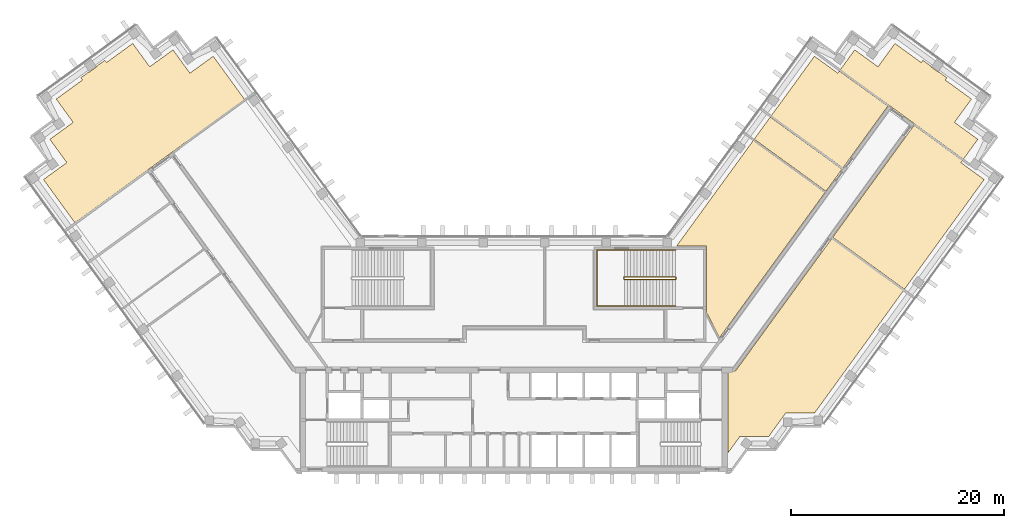
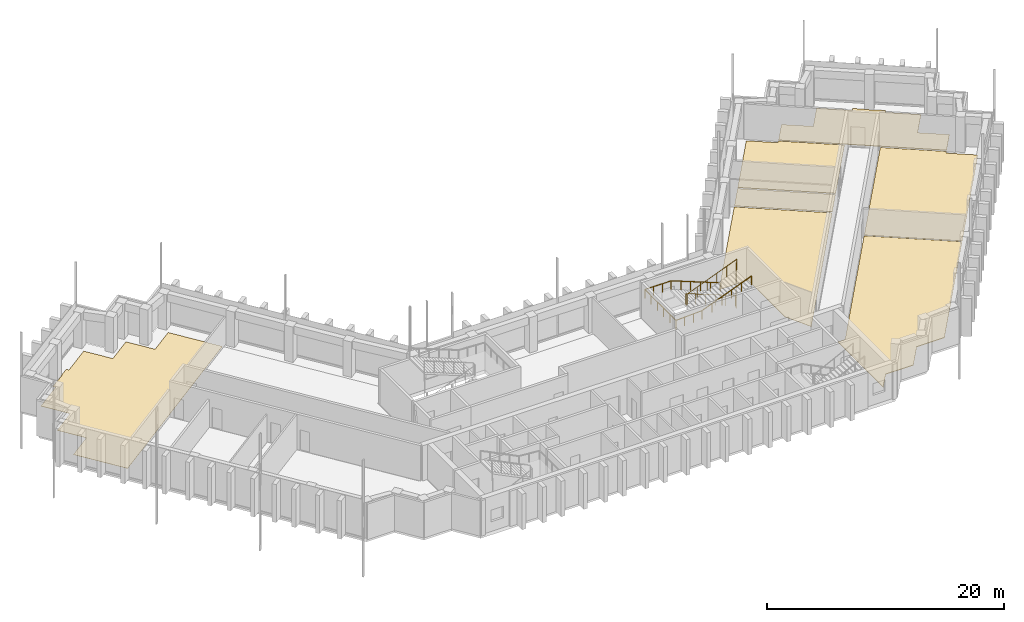
# One storey, part 13 of 13: 7 coverings, 2 railings.
"""IFC4 building model written with IfcOpenShell, lengths in metres."""

from ifc_helpers import new_model, si_unit, direction, frame, origin, origin_2d, place, context, subcontext, project, spatial, polyline, circle, outline, extrude, material, layer, layer_set, type_object, element, save


model = new_model("IFC4")

# Units and contexts
model_context = context("Model", 3, precision=1e-05, world=origin(), true_north=direction((0.0, 1.0)))
body_context = subcontext(model_context, "Body", "Model", "MODEL_VIEW")
ifc_project = project(units=[si_unit("LENGTHUNIT", "METRE"), si_unit("AREAUNIT", "SQUARE_METRE"), si_unit("VOLUMEUNIT", "CUBIC_METRE"), si_unit("PLANEANGLEUNIT", "RADIAN"), si_unit("MASSUNIT", "GRAM", prefix="KILO")], contexts=[model_context])

# Site, building, storey
site_placement = place(None, origin())
site = spatial("IfcSite", under=ifc_project, at=site_placement, CompositionType="ELEMENT")
building_placement = place(site_placement, origin())
building = spatial("IfcBuilding", under=site, at=building_placement, Name="Quipu Civic Tower", CompositionType="ELEMENT")
storey_placement = place(building_placement, frame((0.0, 0.0, 172.0)))
storey = spatial("IfcBuildingStorey", under=building, at=storey_placement, Name="L40", CompositionType="ELEMENT", Elevation=172.0)

# Coverings
ifc_material_1 = material(Name="Carpet tile on raised access floor")
ifc_layer_1 = layer(ifc_material_1, 0.02001953125)
ifc_layer_set_1 = layer_set([ifc_layer_1], Name="Carpet tile on raised access floor")
covering_type_1 = type_object("IfcCoveringType", Name="Carpet tile floor finish 20", PredefinedType="FLOORING", material=ifc_layer_set_1)
covering_1_placement = place(storey_placement, origin())
element("IfcCovering", 1, at=covering_1_placement, inside=storey, type_object=covering_type_1, Name="Carpet tile floor finish 20", PredefinedType="FLOORING", context=body_context, shape_type="SweptSolid", body=[
    extrude(outline(polyline([(-44.074951171875, 16.4140625), (-41.89208984375, 17.9990234375), (-43.47802734375, 20.18505859375), (-41.2939453125, 21.77294921875), (-42.881103515625, 23.95703125), (-40.424072265625, 25.740966796875), (-40.574951171875, 25.952880859375), (-39.81298828125, 26.507080078125), (-39.80908203125, 26.5029296875), (-39.804931640625, 26.5009765625), (-39.801025390625, 26.498046875), (-39.7958984375, 26.49609375), (-39.7919921875, 26.4951171875), (-39.787109375, 26.493896484375), (-39.781982421875, 26.492919921875), (-39.777099609375, 26.492919921875), (-39.77197265625, 26.493896484375), (-39.76806640625, 26.4951171875), (-39.762939453125, 26.49609375), (-39.758056640625, 26.498046875), (-39.75390625, 26.5), (-39.75, 26.5029296875), (-39.10302734375, 26.972900390625), (-39.09912109375, 26.97607421875), (-39.094970703125, 26.97998046875), (-39.092041015625, 26.98291015625), (-39.089111328125, 26.987060546875), (-39.0869140625, 26.991943359375), (-39.0849609375, 26.99609375), (-39.083984375, 27.0009765625), (-39.0830078125, 27.006103515625), (-39.08203125, 27.010986328125), (-39.08203125, 27.014892578125), (-39.08203125, 27.02001953125), (-39.0830078125, 27.02490234375), (-39.0849609375, 27.030029296875), (-39.0869140625, 27.033935546875), (-38.324951171875, 27.587890625), (-38.169921875, 27.37890625), (-35.712890625, 29.1640625), (-34.126953125, 26.97998046875), (-31.94091796875, 28.56591796875), (-30.35400390625, 26.383056640625), (-28.169921875, 27.968994140625), (-25.22607421875, 23.916015625), (-41.131103515625, 12.360107421875), (-44.074951171875, 16.4140625)])), origin(), (0.0, 0.0, 1.0), 0.02001953125),
])
covering_2_placement = place(storey_placement, origin())
element("IfcCovering", 2, at=covering_2_placement, inside=storey, type_object=covering_type_1, Name="Carpet tile floor finish 20", PredefinedType="FLOORING", context=body_context, shape_type="SweptSolid", body=[
    extrude(outline(polyline([(15.238037109375, 10.169921875), (22.44189453125, 20.0849609375), (29.1650390625, 15.200927734375), (19.27197265625, 1.583984375), (18.070068359375, 3.94189453125), (18.070068359375, 10.1689453125), (15.238037109375, 10.169921875)])), origin(), (0.0, 0.0, 1.0), 0.02001953125),
])
covering_3_placement = place(storey_placement, origin())
element("IfcCovering", 3, at=covering_3_placement, inside=storey, type_object=covering_type_1, Name="Carpet tile floor finish 20", PredefinedType="FLOORING", context=body_context, shape_type="SweptSolid", body=[
    extrude(outline(polyline([(29.87890625, 11.010986328125), (37.4990234375, 21.5), (42.0380859375, 18.201904296875), (41.89208984375, 17.9990234375), (44.074951171875, 16.4140625), (36.60302734375, 6.126953125), (29.87890625, 11.010986328125)])), origin(), (0.0, 0.0, 1.0), 0.02001953125),
])
ifc_material_2 = material(Name="Ceramic floor tile")
ifc_layer_2 = layer(ifc_material_2, 0.030029296875)
ifc_layer_set_2 = layer_set([ifc_layer_2], Name="Ceramic floor tile")
covering_type_2 = type_object("IfcCoveringType", Name="Ceramic tile floor finish 30", PredefinedType="FLOORING", material=ifc_layer_set_2)
covering_4_placement = place(storey_placement, origin())
element("IfcCovering", 4, at=covering_4_placement, inside=storey, type_object=covering_type_2, Name="Ceramic tile floor finish 30", PredefinedType="FLOORING", context=body_context, shape_type="SweptSolid", body=[
    extrude(outline(polyline([(22.52490234375, 20.197998046875), (24.029052734375, 22.26904296875), (30.751953125, 17.385986328125), (29.248046875, 15.31396484375), (22.52490234375, 20.197998046875)])), origin(), (0.0, 0.0, 1.0), 0.030029296875),
])
ifc_material_3 = material(Name="Sealed cement screed")
ifc_layer_3 = layer(ifc_material_3, 0.050048828125)
ifc_layer_set_3 = layer_set([ifc_layer_3], Name="Sealed cement screed")
covering_type_3 = type_object("IfcCoveringType", Name="Sealed screed floor finish 50", PredefinedType="FLOORING", material=ifc_layer_set_3)
covering_5_placement = place(storey_placement, origin())
element("IfcCovering", 5, at=covering_5_placement, inside=storey, type_object=covering_type_3, Name="Sealed screed floor finish 50", PredefinedType="FLOORING", context=body_context, shape_type="SweptSolid", body=[
    extrude(outline(polyline([(20.070068359375, -9.195068359375), (20.070068359375, -1.52001953125), (20.77490234375, -1.51904296875), (29.7958984375, 10.89794921875), (36.52001953125, 6.013916015625), (28.181884765625, -5.4609375), (25.48193359375, -5.4619140625), (23.89501953125, -7.64599609375), (21.196044921875, -7.64599609375), (20.070068359375, -9.195068359375)])), origin(), (0.0, 0.0, 1.0), 0.050048828125),
])
covering_6_placement = place(storey_placement, origin())
element("IfcCovering", 6, at=covering_6_placement, inside=storey, type_object=covering_type_3, Name="Sealed screed floor finish 50", PredefinedType="FLOORING", context=body_context, shape_type="SweptSolid", body=[
    extrude(outline(polyline([(30.583984375, 26.697021484375), (31.94189453125, 28.56591796875), (34.126953125, 26.97998046875), (35.712890625, 29.1640625), (38.169921875, 27.37890625), (38.324951171875, 27.587890625), (39.0869140625, 27.033935546875), (39.0849609375, 27.030029296875), (39.0830078125, 27.02490234375), (39.08203125, 27.02001953125), (39.08203125, 27.014892578125), (39.08203125, 27.010986328125), (39.0830078125, 27.006103515625), (39.083984375, 27.0009765625), (39.0849609375, 26.99609375), (39.0869140625, 26.991943359375), (39.089111328125, 26.987060546875), (39.092041015625, 26.98291015625), (39.094970703125, 26.97998046875), (39.09912109375, 26.97607421875), (39.10302734375, 26.972900390625), (39.75, 26.5029296875), (39.75390625, 26.5), (39.758056640625, 26.498046875), (39.762939453125, 26.49609375), (39.76806640625, 26.4951171875), (39.77197265625, 26.493896484375), (39.777099609375, 26.492919921875), (39.781982421875, 26.492919921875), (39.787109375, 26.493896484375), (39.7919921875, 26.4951171875), (39.7958984375, 26.49609375), (39.801025390625, 26.498046875), (39.804931640625, 26.5009765625), (39.80908203125, 26.5029296875), (39.81298828125, 26.507080078125), (40.574951171875, 25.952880859375), (40.424072265625, 25.740966796875), (42.881103515625, 23.95703125), (41.2939453125, 21.77294921875), (43.47802734375, 20.18505859375), (42.12109375, 18.31591796875), (30.583984375, 26.697021484375)])), origin(), (0.0, 0.0, 1.0), 0.050048828125),
])
covering_7_placement = place(storey_placement, origin())
element("IfcCovering", 7, at=covering_7_placement, inside=storey, type_object=covering_type_3, Name="Sealed screed floor finish 50", PredefinedType="FLOORING", context=body_context, shape_type="SweptSolid", body=[
    extrude(outline(polyline([(24.112060546875, 22.382080078125), (28.169921875, 27.968994140625), (30.35302734375, 26.383056640625), (30.5009765625, 26.583984375), (35.0400390625, 23.2880859375), (30.8349609375, 17.4990234375), (24.112060546875, 22.382080078125)])), origin(), (0.0, 0.0, 1.0), 0.050048828125),
])

# Railings
ifc_material_4 = material(Name="Stainless steel", Category="steel")
railing_type_1 = type_object("IfcRailingType", Name="Stair guard 1100", PredefinedType="GUARDRAIL", material=ifc_material_4)
railing_1_placement = place(storey_placement, frame((15.14990234375, 7.300048828125, 0.11767578125)))
element("IfcRailing", 8, at=railing_1_placement, inside=storey, type_object=railing_type_1, Name="Stair 4 guard", PredefinedType="GUARDRAIL", context=body_context, shape_type="SweptSolid", body=[
    extrude(circle(Radius=0.02392578125, at=origin_2d()), frame((0.0, 0.0, 1.076171875), z_axis=(-0.930970042603, 0.0, 0.365095576219), x_axis=(0.0, -1.0, 0.0)), (0.0, 0.0, 1.0), 5.15576171875),
    extrude(circle(Radius=0.02392578125, at=origin_2d()), frame((-4.7998046875, 0.0, 2.95849609375), z_axis=(-0.707106781187, -0.707106781187, 0.0), x_axis=(0.707106781187, -0.707106781187, 0.0)), (0.0, 0.0, 1.0), 0.07080078125),
    extrude(circle(Radius=0.02392578125, at=origin_2d()), frame((-4.849853515625, -0.050048828125, 2.95849609375), z_axis=(0.0, -1.0, 0.0), x_axis=(1.0, 0.0, 0.0)), (0.0, 0.0, 1.0), 0.14990234375),
    extrude(circle(Radius=0.02392578125, at=origin_2d()), frame((-4.849853515625, -0.199951171875, 2.95849609375), z_axis=(0.364463019033, -0.364463019033, 0.856932561824), x_axis=(0.707106781187, 0.707106781187, 0.0)), (0.0, 0.0, 1.0), 0.13720703125),
    extrude(circle(Radius=0.02392578125, at=origin_2d()), frame((-4.7998046875, -0.25, 3.076171875), z_axis=(0.930970042603, 0.0, 0.365095576219), x_axis=(0.0, 1.0, 0.0)), (0.0, 0.0, 1.0), 5.15576171875),
    extrude(circle(Radius=0.02392578125, at=origin_2d()), frame((0.0, -0.25, 4.95849609375), z_axis=(0.012495627992, 0.049921557685, -0.998674970829), x_axis=(-0.970072785993, 0.242814311512, 0.0)), (0.0, 0.0, 1.0), 4.00537109375),
    extrude(circle(Radius=0.02392578125, at=origin_2d()), frame((0.050048828125, -0.050048828125, 0.95849609375), z_axis=(0.0, -1.0, 0.0), x_axis=(1.0, 0.0, 0.0)), (0.0, 0.0, 1.0), 0.14990234375),
    extrude(circle(Radius=0.02099609375, at=origin_2d()), origin(), (0.0, 0.0, 1.0), 1.052001953125),
    extrude(circle(Radius=0.02099609375, at=origin_2d()), frame((-0.9599609375, 0.0, 0.37646484375)), (0.0, 0.0, 1.0), 1.052001953125),
    extrude(circle(Radius=0.02099609375, at=origin_2d()), frame((-1.919921875, 0.0, 0.7529296875)), (0.0, 0.0, 1.0), 1.052001953125),
    extrude(circle(Radius=0.02099609375, at=origin_2d()), frame((-2.8798828125, 0.0, 1.12939453125)), (0.0, 0.0, 1.0), 1.052001953125),
    extrude(circle(Radius=0.02099609375, at=origin_2d()), frame((-3.83984375, 0.0, 1.505859375)), (0.0, 0.0, 1.0), 1.052001953125),
    extrude(circle(Radius=0.02099609375, at=origin_2d()), frame((-4.7998046875, 0.0, 1.88232421875)), (0.0, 0.0, 1.0), 1.052001953125),
    extrude(circle(Radius=0.02099609375, at=origin_2d()), frame((-4.849853515625, -0.050048828125, 1.88232421875)), (0.0, 0.0, 1.0), 1.052001953125),
    extrude(circle(Radius=0.02099609375, at=origin_2d()), frame((-4.849853515625, -0.199951171875, 1.88232421875)), (0.0, 0.0, 1.0), 1.052001953125),
    extrude(circle(Radius=0.02099609375, at=origin_2d()), frame((-4.7998046875, -0.25, 2.0)), (0.0, 0.0, 1.0), 1.052001953125),
    extrude(circle(Radius=0.02099609375, at=origin_2d()), frame((-3.83984375, -0.25, 2.37646484375)), (0.0, 0.0, 1.0), 1.052001953125),
    extrude(circle(Radius=0.02099609375, at=origin_2d()), frame((-2.8798828125, -0.25, 2.7529296875)), (0.0, 0.0, 1.0), 1.052001953125),
    extrude(circle(Radius=0.02099609375, at=origin_2d()), frame((-1.919921875, -0.25, 3.12939453125)), (0.0, 0.0, 1.0), 1.052001953125),
    extrude(circle(Radius=0.02099609375, at=origin_2d()), frame((-0.9599609375, -0.25, 3.505859375)), (0.0, 0.0, 1.0), 1.052001953125),
    extrude(circle(Radius=0.02099609375, at=origin_2d()), frame((0.0, -0.25, 3.88232421875)), (0.0, 0.0, 1.0), 1.052001953125),
    extrude(circle(Radius=0.02099609375, at=origin_2d()), frame((0.012451171875, -0.199951171875, 2.88232421875)), (0.0, 0.0, 1.0), 1.052001953125),
    extrude(circle(Radius=0.02099609375, at=origin_2d()), frame((0.02490234375, -0.14990234375, 1.88232421875)), (0.0, 0.0, 1.0), 1.052001953125),
    extrude(circle(Radius=0.02099609375, at=origin_2d()), frame((0.03759765625, -0.10009765625, 0.88232421875)), (0.0, 0.0, 1.0), 1.052001953125),
    extrude(circle(Radius=0.02099609375, at=origin_2d()), frame((0.050048828125, -0.050048828125, -0.11767578125)), (0.0, 0.0, 1.0), 1.052001953125),
    extrude(circle(Radius=0.02099609375, at=origin_2d()), frame((0.050048828125, -0.199951171875, -0.11767578125)), (0.0, 0.0, 1.0), 1.052001953125),
])
ifc_material_5 = material(Name="Stainless steel", Category="steel")
railing_type_2 = type_object("IfcRailingType", Name="Stair handrail", PredefinedType="HANDRAIL", material=ifc_material_5)
railing_2_placement = place(storey_placement, frame((15.14990234375, 9.800048828125, 0.11767578125)))
element("IfcRailing", 9, at=railing_2_placement, inside=storey, type_object=railing_type_2, Name="Stair 4 handrail", PredefinedType="HANDRAIL", context=body_context, shape_type="SweptSolid", body=[
    extrude(circle(Radius=0.02392578125, at=origin_2d()), frame((0.0, 0.0, 0.8759765625), z_axis=(-0.930970042603, 0.0, 0.365095576219), x_axis=(0.0, -1.0, 0.0)), (0.0, 0.0, 1.0), 5.15576171875),
    extrude(circle(Radius=0.02392578125, at=origin_2d()), frame((-4.7998046875, 0.0, 2.75830078125), z_axis=(-1.0, 0.0, 0.0), x_axis=(0.0, -1.0, 0.0)), (0.0, 0.0, 1.0), 2.550048828125),
    extrude(circle(Radius=0.02392578125, at=origin_2d()), frame((-7.349853515625, 0.0, 2.75830078125), z_axis=(0.0, -1.0, 0.0), x_axis=(1.0, 0.0, 0.0)), (0.0, 0.0, 1.0), 5.25),
    extrude(circle(Radius=0.02392578125, at=origin_2d()), frame((-7.349853515625, -5.25, 2.75830078125), z_axis=(0.998936948642, 0.0, 0.04609742549), x_axis=(0.0, 1.0, 0.0)), (0.0, 0.0, 1.0), 2.552734375),
    extrude(circle(Radius=0.02392578125, at=origin_2d()), frame((-4.7998046875, -5.25, 2.8759765625), z_axis=(0.930970042603, 0.0, 0.365095576219), x_axis=(0.0, 1.0, 0.0)), (0.0, 0.0, 1.0), 5.15576171875),
    extrude(circle(Radius=0.02099609375, at=origin_2d()), origin(), (0.0, 0.0, 1.0), 0.851806640625),
    extrude(circle(Radius=0.02099609375, at=origin_2d()), frame((-0.9599609375, 0.0, 0.37646484375)), (0.0, 0.0, 1.0), 0.851806640625),
    extrude(circle(Radius=0.02099609375, at=origin_2d()), frame((-1.919921875, 0.0, 0.7529296875)), (0.0, 0.0, 1.0), 0.851806640625),
    extrude(circle(Radius=0.02099609375, at=origin_2d()), frame((-2.8798828125, 0.0, 1.12939453125)), (0.0, 0.0, 1.0), 0.851806640625),
    extrude(circle(Radius=0.02099609375, at=origin_2d()), frame((-3.83984375, 0.0, 1.505859375)), (0.0, 0.0, 1.0), 0.851806640625),
    extrude(circle(Radius=0.02099609375, at=origin_2d()), frame((-4.7998046875, 0.0, 1.88232421875)), (0.0, 0.0, 1.0), 0.851806640625),
    extrude(circle(Radius=0.02099609375, at=origin_2d()), frame((-5.64990234375, 0.0, 1.88232421875)), (0.0, 0.0, 1.0), 0.851806640625),
    extrude(circle(Radius=0.02099609375, at=origin_2d()), frame((-6.499755859375, 0.0, 1.88232421875)), (0.0, 0.0, 1.0), 0.851806640625),
    extrude(circle(Radius=0.02099609375, at=origin_2d()), frame((-7.349853515625, 0.0, 1.88232421875)), (0.0, 0.0, 1.0), 0.851806640625),
    extrude(circle(Radius=0.02099609375, at=origin_2d()), frame((-7.349853515625, -1.050048828125, 1.88232421875)), (0.0, 0.0, 1.0), 0.851806640625),
    extrude(circle(Radius=0.02099609375, at=origin_2d()), frame((-7.349853515625, -2.10009765625, 1.88232421875)), (0.0, 0.0, 1.0), 0.851806640625),
    extrude(circle(Radius=0.02099609375, at=origin_2d()), frame((-7.349853515625, -3.14990234375, 1.88232421875)), (0.0, 0.0, 1.0), 0.851806640625),
    extrude(circle(Radius=0.02099609375, at=origin_2d()), frame((-7.349853515625, -4.199951171875, 1.88232421875)), (0.0, 0.0, 1.0), 0.851806640625),
    extrude(circle(Radius=0.02099609375, at=origin_2d()), frame((-7.349853515625, -5.25, 1.88232421875)), (0.0, 0.0, 1.0), 0.851806640625),
    extrude(circle(Radius=0.02099609375, at=origin_2d()), frame((-6.499755859375, -5.25, 1.921630859375)), (0.0, 0.0, 1.0), 0.851806640625),
    extrude(circle(Radius=0.02099609375, at=origin_2d()), frame((-5.64990234375, -5.25, 1.960693359375)), (0.0, 0.0, 1.0), 0.851806640625),
    extrude(circle(Radius=0.02099609375, at=origin_2d()), frame((-4.7998046875, -5.25, 2.0)), (0.0, 0.0, 1.0), 0.851806640625),
    extrude(circle(Radius=0.02099609375, at=origin_2d()), frame((-3.83984375, -5.25, 2.37646484375)), (0.0, 0.0, 1.0), 0.851806640625),
    extrude(circle(Radius=0.02099609375, at=origin_2d()), frame((-2.8798828125, -5.25, 2.7529296875)), (0.0, 0.0, 1.0), 0.851806640625),
    extrude(circle(Radius=0.02099609375, at=origin_2d()), frame((-1.919921875, -5.25, 3.12939453125)), (0.0, 0.0, 1.0), 0.851806640625),
    extrude(circle(Radius=0.02099609375, at=origin_2d()), frame((-0.9599609375, -5.25, 3.505859375)), (0.0, 0.0, 1.0), 0.851806640625),
    extrude(circle(Radius=0.02099609375, at=origin_2d()), frame((0.0, -5.25, 3.88232421875)), (0.0, 0.0, 1.0), 0.851806640625),
])

save(model, "model.ifc")
